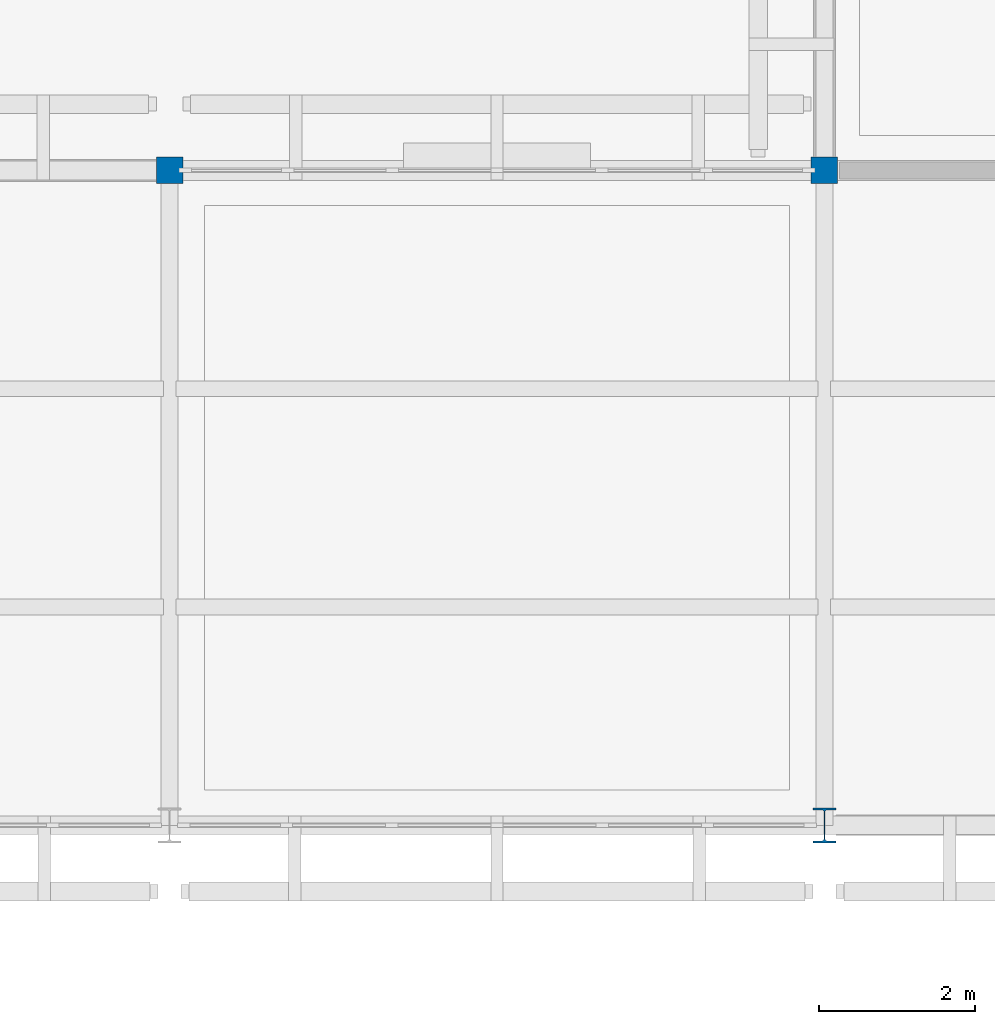
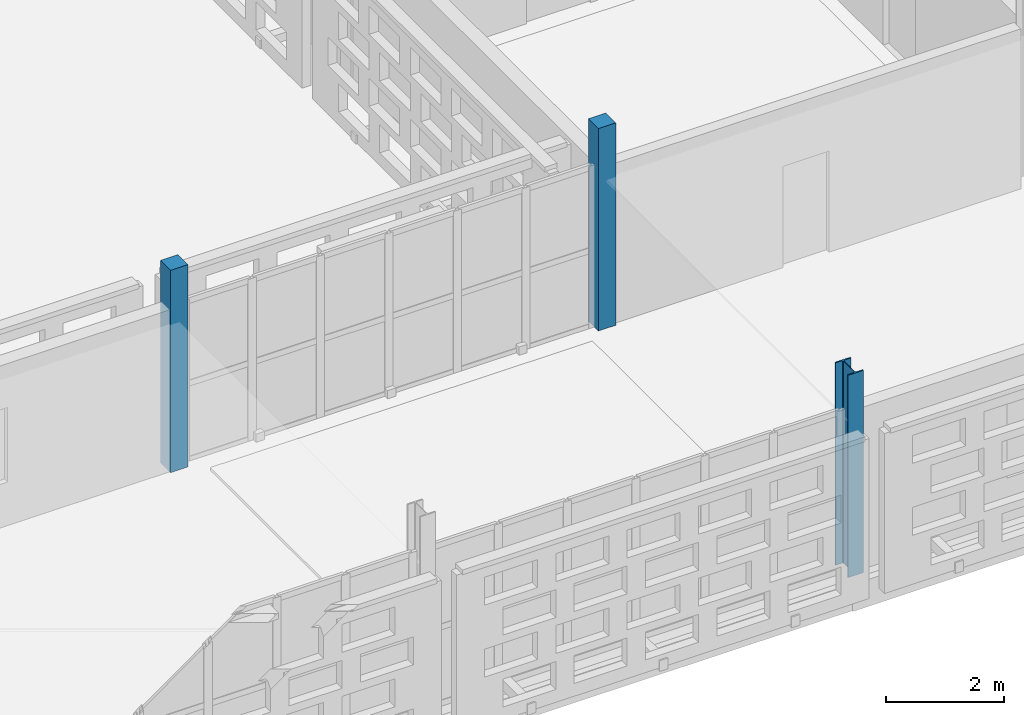
# One storey, part 6 of 140: 3 columns.
"""IFC4 building model written with IfcOpenShell, lengths in metres."""

from ifc_helpers import new_model, si_unit, direction, frame, origin, origin_2d, place, context, subcontext, project, spatial, rectangle, i_section, extrude, material, material_profile, profile_set, type_object, element, save


model = new_model("IFC4")

# Units and contexts
model_context = context("Model", 3, precision=1e-05, world=origin(), true_north=direction((0.0, 1.0)))
body_context = subcontext(model_context, "Body", "Model", "MODEL_VIEW")
ifc_project = project(units=[si_unit("LENGTHUNIT", "METRE"), si_unit("AREAUNIT", "SQUARE_METRE"), si_unit("VOLUMEUNIT", "CUBIC_METRE"), si_unit("PLANEANGLEUNIT", "RADIAN"), si_unit("MASSUNIT", "GRAM", prefix="KILO")], contexts=[model_context])

# Site, building, storey
site_placement = place(None, origin())
site = spatial("IfcSite", under=ifc_project, at=site_placement, CompositionType="ELEMENT")
building_placement = place(site_placement, origin())
building = spatial("IfcBuilding", under=site, at=building_placement, Name="Varnapada Polytechnic", CompositionType="ELEMENT")
storey_placement = place(building_placement, frame((0.0, 0.0, 13.800048828125)))
storey = spatial("IfcBuildingStorey", under=building, at=storey_placement, Name="L03", CompositionType="ELEMENT", Elevation=13.800048828125)

# Columns
ifc_material_1 = material(Name="Steel S355", Category="steel")
ifc_material_profile_1 = material_profile(ifc_material_1, i_section(OverallWidth=0.300048828125, OverallDepth=0.449951171875, WebThickness=0.013916015625, FlangeThickness=0.02587890625, FilletRadius=0.027099609375, at=origin_2d()), Name="HEB 450")
ifc_profile_set_1 = profile_set([ifc_material_profile_1], Name="Steel S355")
column_type_1 = type_object("IfcColumnType", Name="Column C-07 (HEB 450)", PredefinedType="COLUMN", material=ifc_profile_set_1)
column_placement = place(storey_placement, frame((126.0, 84.0, 0.0), z_axis=(0.0, 0.0, 1.0), x_axis=(1.0, 0.0, 0.0)))
element("IfcColumn", 1, at=column_placement, inside=storey, type_object=column_type_1, Name="L03 column 16/11", PredefinedType="COLUMN", context=body_context, shape_type="SweptSolid", body=[
    extrude(i_section(OverallWidth=0.300048828125, OverallDepth=0.449951171875, WebThickness=0.013916015625, FlangeThickness=0.02587890625, FilletRadius=0.027099609375, at=origin_2d()), origin(), (0.0, 0.0, 1.0), 4.199951171875),
])
ifc_material_2 = material(Name="Glulam GL32h", Category="wood")
ifc_material_profile_2 = material_profile(ifc_material_2, rectangle(XDim=0.340087890625, YDim=0.340087890625, at=origin_2d()), Name="GL 340x340")
ifc_profile_set_2 = profile_set([ifc_material_profile_2], Name="Glulam GL32h")
column_type_2 = type_object("IfcColumnType", Name="Column C-27 (GL 340x340)", PredefinedType="COLUMN", material=ifc_profile_set_2)
for number, where, z_axis, x_axis, name in (
    (2, (117.60009765625, 92.39990234375, 0.0), (0.0, 0.0, 1.0), (1.0, 0.0, 0.0), "L03 column 15/12"),
    (3, (126.0, 92.39990234375, 0.0), (0.0, 0.0, 1.0), (1.0, 0.0, 0.0), "L03 column 16/12"),
):
    element("IfcColumn", number, at=place(storey_placement, frame(where, z_axis=z_axis, x_axis=x_axis)), inside=storey, type_object=column_type_2, Name=name, PredefinedType="COLUMN", context=body_context, shape_type="SweptSolid", body=[
        extrude(rectangle(XDim=0.340087890625, YDim=0.340087890625, at=origin_2d()), origin(), (0.0, 0.0, 1.0), 4.199951171875),
    ])

save(model, "model.ifc")
